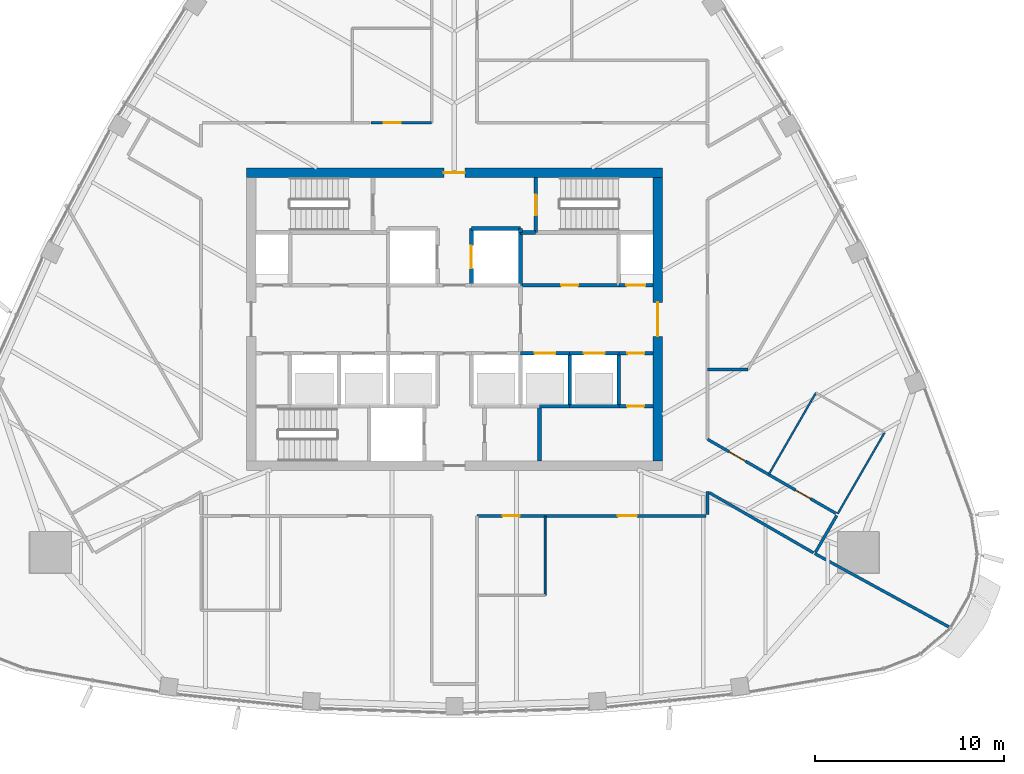
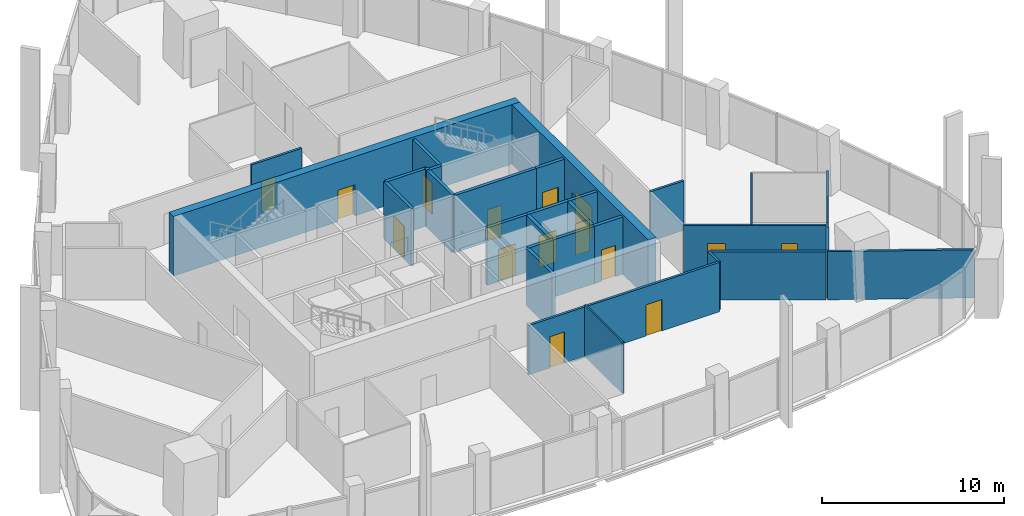
# One storey, part 10 of 18: 30 walls, 15 doors, 15 openings.
"""IFC4 building model written with IfcOpenShell, lengths in metres."""

import ifcopenshell
import ifcopenshell.guid

model = None  # the IFC model being written
_history = None  # IfcOwnerHistory: only IFC2X3 demands one
_inside = {}  # id of a spatial element -> (the spatial element, [elements in it])
_under = {}  # id of a project, library or spatial element -> (it, [spatial elements below it])
_declared = {}  # id of a project -> (the project, [libraries it declares])
_typed = {}  # id of a type object -> (the type object, [elements of that type])
_made_of = {}  # id of a material, layer set ... -> (it, [elements and type objects made of it])


def new_model(schema):
    """Start an empty IFC model of exactly this schema.

    Asked for "IFC4X3", IfcOpenShell would pick the latest addendum, in which some entities
    have other attributes; the version numbers below select the first issue.
    IFC2X3 requires an IfcOwnerHistory on every rooted entity: one is made here for all.
    """
    global model, _history
    if schema == "IFC4X3":
        model = ifcopenshell.file(schema_version=(4, 3, 0, 0))
    else:
        model = ifcopenshell.file(schema=schema)
    _inside.clear()
    _under.clear()
    _declared.clear()
    _typed.clear()
    _made_of.clear()
    _history = None
    if model.schema == "IFC2X3":
        org = make("IfcOrganization", Name="unknown")
        user = make(
            "IfcPersonAndOrganization",
            ThePerson=make("IfcPerson", FamilyName="unknown"),
            TheOrganization=org,
        )
        app = make(
            "IfcApplication",
            ApplicationDeveloper=org,
            Version="unknown",
            ApplicationFullName="unknown",
            ApplicationIdentifier="unknown",
        )
        _history = make(
            "IfcOwnerHistory",
            OwningUser=user,
            OwningApplication=app,
            ChangeAction="ADDED",
            CreationDate=0,
        )
    return model


def make(cls, **values):
    """One entity of the class cls with the attributes given. An attribute that is None is left unset."""
    return model.create_entity(
        cls, **{name: value for name, value in values.items() if value is not None}
    )


def rooted(cls, **values):
    """An entity with a GlobalId (a new one), such as an element, a storey or a relation."""
    return make(cls, GlobalId=ifcopenshell.guid.new(), OwnerHistory=_history, **values)


def si_unit(unit_type, name, prefix=None):
    """IfcSIUnit, for example si_unit("LENGTHUNIT", "METRE", prefix="MILLI")."""
    return make("IfcSIUnit", UnitType=unit_type, Prefix=prefix, Name=name)


def assignment(units):
    """IfcUnitAssignment: the units of a project."""
    return None if units is None else make("IfcUnitAssignment", Units=units)


def point(xyz):
    """IfcCartesianPoint."""
    return None if xyz is None else make("IfcCartesianPoint", Coordinates=xyz)


def direction(xyz):
    """IfcDirection."""
    return None if xyz is None else make("IfcDirection", DirectionRatios=xyz)


def frame(location, z_axis=None, x_axis=None):
    """IfcAxis2Placement3D, a coordinate frame: its origin and axes. An axis left out is left unset."""
    return make(
        "IfcAxis2Placement3D",
        Location=point(location),
        Axis=direction(z_axis),
        RefDirection=direction(x_axis),
    )


def frame_2d(location, x_axis=None):
    """IfcAxis2Placement2D, a coordinate frame in the plane: its origin and x axis."""
    return make(
        "IfcAxis2Placement2D", Location=point(location), RefDirection=direction(x_axis)
    )


def origin():
    """The frame at (0, 0, 0) with its axes left unset."""
    return frame((0.0, 0.0, 0.0))


def place(relative_to, where):
    """IfcLocalPlacement: puts the frame where relative to a parent placement (None: the world)."""
    return make(
        "IfcLocalPlacement", PlacementRelTo=relative_to, RelativePlacement=where
    )


def context(
    kind, dimensions, precision=None, world=None, true_north=None, identifier=None
):
    """IfcGeometricRepresentationContext, for example the 3D "Model" context."""
    return make(
        "IfcGeometricRepresentationContext",
        ContextIdentifier=identifier,
        ContextType=kind,
        CoordinateSpaceDimension=dimensions,
        Precision=precision,
        WorldCoordinateSystem=world,
        TrueNorth=true_north,
    )


def subcontext(parent, identifier, kind, view, scale=None):
    """IfcGeometricRepresentationSubContext, for example "Body" below "Model"."""
    return make(
        "IfcGeometricRepresentationSubContext",
        ContextIdentifier=identifier,
        ContextType=kind,
        ParentContext=parent,
        TargetScale=scale,
        TargetView=view,
    )


def project(units=None, contexts=None):
    """IfcProject with its units and contexts."""
    return rooted(
        "IfcProject",
        Name="project",
        RepresentationContexts=contexts,
        UnitsInContext=assignment(units),
    )


def spatial(cls, under=None, at=None, **own):
    """A site, building, storey or space (cls), placed at a placement, below another one or the project."""
    s = rooted(cls, ObjectPlacement=at, **own)
    if under is not None:
        _under.setdefault(under.id(), (under, []))[1].append(s)
    return s


def profile(cls, at=None, kind="AREA", **sizes):
    """A parametric profile (cls). Its sizes go by their IFC names, for example OverallWidth=200.0."""
    return make(cls, ProfileType=kind, Position=at, **sizes)


def rectangle(**sizes):
    """IfcRectangleProfileDef."""
    return profile("IfcRectangleProfileDef", **sizes)


def extrude(swept, where, along, depth):
    """IfcExtrudedAreaSolid: the profile swept, set in the frame where, extruded along a direction by depth."""
    return make(
        "IfcExtrudedAreaSolid",
        SweptArea=swept,
        Position=where,
        ExtrudedDirection=direction(along),
        Depth=depth,
    )


def shape(context_of_items, identifier, shape_type, items):
    """IfcShapeRepresentation: the items that make up one representation, for example the "Body"."""
    return make(
        "IfcShapeRepresentation",
        ContextOfItems=context_of_items,
        RepresentationIdentifier=identifier,
        RepresentationType=shape_type,
        Items=items,
    )


def material(Name=None, Category=None):
    """IfcMaterial."""
    return make("IfcMaterial", Name=Name, Category=Category)


def layer(
    of_material, thickness, ventilated=None, Name=None, Category=None, Priority=None
):
    """IfcMaterialLayer: one layer of a wall or slab, of a material (None: an air gap)."""
    return make(
        "IfcMaterialLayer",
        Material=of_material,
        LayerThickness=thickness,
        IsVentilated=ventilated,
        Name=Name,
        Category=Category,
        Priority=Priority,
    )


def layer_set(layers, Name=None):
    """IfcMaterialLayerSet."""
    return make("IfcMaterialLayerSet", MaterialLayers=layers, LayerSetName=Name)


def made_of(thing, what):
    """Note that an element or type object is made of a material, layer set ...; save() writes the relation."""
    if what is not None:
        _made_of.setdefault(what.id(), (what, []))[1].append(thing)
    return thing


def type_object(cls, material=None, **own):
    """A type object (cls), such as IfcWallType, which elements share."""
    return made_of(rooted(cls, **own), material)


def element(
    cls,
    number,
    at=None,
    inside=None,
    cuts=None,
    type_object=None,
    material=None,
    context=None,
    identifier="Body",
    shape_type=None,
    held_by="IfcProductDefinitionShape",
    body=None,
    shapes=None,
    **own,
):
    """One element of the class cls, such as IfcWall. Its Tag is "e" and its number.

    at: its placement. inside: the storey or other place that contains it. cuts: it is an
    opening in that element (IfcRelVoidsElement). A single representation is given by context,
    identifier, shape_type and body (its items); several are given by shapes. held_by: the class
    of the entity that holds the representations. save() writes the other relations.
    """
    e = rooted(cls, Tag="e%d" % number, ObjectPlacement=at, **own)
    if body is not None:
        shapes = [shape(context, identifier, shape_type, body)]
    if shapes is not None:
        e.Representation = make(held_by, Representations=shapes)
    if inside is not None:
        _inside.setdefault(inside.id(), (inside, []))[1].append(e)
    if cuts is not None:
        rooted(
            "IfcRelVoidsElement", RelatingBuildingElement=cuts, RelatedOpeningElement=e
        )
    if type_object is not None:
        _typed.setdefault(type_object.id(), (type_object, []))[1].append(e)
    return made_of(e, material)


def fill(opening, filler):
    """IfcRelFillsElement: the door or window that sits in an opening."""
    return rooted(
        "IfcRelFillsElement",
        RelatingOpeningElement=opening,
        RelatedBuildingElement=filler,
    )


def aggregate(whole, parts):
    """IfcRelAggregates: a whole, such as a stair, and the parts it consists of."""
    return rooted("IfcRelAggregates", RelatingObject=whole, RelatedObjects=parts)


def save(model, path):
    """Write the relations noted so far, then the file.

    IfcRelAggregates (storeys below a building ...), IfcRelContainedInSpatialStructure (elements
    in a storey), IfcRelDefinesByType, IfcRelAssociatesMaterial and IfcRelDeclares: one each for
    every whole, place, type object, material and project.
    """
    for whole, parts in _under.values():
        aggregate(whole, parts)
    for where, things in _inside.values():
        rooted(
            "IfcRelContainedInSpatialStructure",
            RelatedElements=things,
            RelatingStructure=where,
        )
    for kind, things in _typed.values():
        rooted("IfcRelDefinesByType", RelatedObjects=things, RelatingType=kind)
    for what, things in _made_of.values():
        rooted("IfcRelAssociatesMaterial", RelatedObjects=things, RelatingMaterial=what)
    for by, libraries in _declared.values():
        rooted("IfcRelDeclares", RelatingContext=by, RelatedDefinitions=libraries)
    model.write(path)


model = new_model("IFC4")

# Units and contexts
model_context = context("Model", 3, precision=1e-05, world=origin(), true_north=direction((0.0, 1.0)))
body_context = subcontext(model_context, "Body", "Model", "MODEL_VIEW")
ifc_project = project(units=[si_unit("LENGTHUNIT", "METRE"), si_unit("AREAUNIT", "SQUARE_METRE"), si_unit("VOLUMEUNIT", "CUBIC_METRE"), si_unit("PLANEANGLEUNIT", "RADIAN"), si_unit("MASSUNIT", "GRAM", prefix="KILO")], contexts=[model_context])

# Site, building, storey
site_placement = place(None, origin())
site = spatial("IfcSite", under=ifc_project, at=site_placement, CompositionType="ELEMENT")
building_placement = place(site_placement, origin())
building = spatial("IfcBuilding", under=site, at=building_placement, Name="Sierra Prisma Convention Tower", CompositionType="ELEMENT")
storey_placement = place(building_placement, frame((0.0, 0.0, 263.0)))
storey = spatial("IfcBuildingStorey", under=building, at=storey_placement, Name="L59", CompositionType="ELEMENT", Elevation=263.0)

# Walls
ifc_material_1 = material(Name="Gypsum board partition", Category="gypsum")
ifc_layer_1 = layer(ifc_material_1, 0.10009765625)
ifc_layer_set_1 = layer_set([ifc_layer_1], Name="Bathroom partition 100")
wall_type_1 = type_object("IfcWallType", Name="Bathroom partition 100", PredefinedType="PARTITIONING", material=ifc_layer_set_1)
wall_1_placement = place(storey_placement, frame((4.800048828125, -10.429931640625, 0.0), z_axis=(0.0, 0.0, 1.0), x_axis=(0.0, -1.0, 0.0)))
element("IfcWall", 1, at=wall_1_placement, inside=storey, type_object=wall_type_1, Name="Partition L59 bath 6", PredefinedType="PARTITIONING", context=body_context, shape_type="SweptSolid", body=[
    extrude(rectangle(XDim=4.170166015625, YDim=0.10009765625, at=frame_2d((2.0849609375, 0.0))), origin(), (0.0, 0.0, 1.0), 3.449951171875),
])
wall_2_placement = place(storey_placement, frame((16.64599609375, -8.1904296875, 0.0), z_axis=(0.0, 0.0, 1.0), x_axis=(0.500011595943, 0.86601870876, 0.0)))
element("IfcWall", 2, at=wall_2_placement, inside=storey, type_object=wall_type_1, Name="Partition L59 bath 10", PredefinedType="PARTITIONING", context=body_context, shape_type="SweptSolid", body=[
    extrude(rectangle(XDim=4.97021484375, YDim=0.10009765625, at=frame_2d((2.485107421875, 0.0))), origin(), (0.0, 0.0, 1.0), 3.31689453125),
])
wall_3_placement = place(storey_placement, frame((22.768310546875, -5.986083984375, 0.0), z_axis=(0.0, 0.0, 1.0), x_axis=(-0.499974753747, -0.866039979225, 0.0)))
element("IfcWall", 3, at=wall_3_placement, inside=storey, type_object=wall_type_1, Name="Partition L59 bath 12", PredefinedType="PARTITIONING", context=body_context, shape_type="SweptSolid", body=[
    extrude(rectangle(XDim=4.969970703125, YDim=0.10009765625, at=frame_2d((2.48486328125, 0.0))), origin(), (0.0, 0.0, 1.0), 3.449951171875),
])
ifc_material_2 = material(Name="Concrete C30/37", Category="concrete")
ifc_layer_2 = layer(ifc_material_2, 0.199951171875)
ifc_layer_set_2 = layer_set([ifc_layer_2], Name="Core wall RC 200 C30/37")
wall_type_2 = type_object("IfcWallType", Name="Core wall RC 200 C30/37", PredefinedType="SOLIDWALL", material=ifc_layer_set_2)
wall_4_placement = place(storey_placement, frame((3.5, 4.60009765625, 0.0), z_axis=(0.0, 0.0, 1.0), x_axis=(0.0, 1.0, 0.0)))
element("IfcWall", 4, at=wall_4_placement, inside=storey, type_object=wall_type_2, Name="Core wall L59 36", PredefinedType="SOLIDWALL", context=body_context, shape_type="SweptSolid", body=[
    extrude(rectangle(XDim=0.199951171875, YDim=0.199951171875, at=frame_2d((0.10009765625, 0.0))), origin(), (0.0, 0.0, 1.0), 3.85009765625),
])
wall_5_placement = place(storey_placement, frame((3.5, 4.800048828125, 0.0), z_axis=(0.0, 0.0, 1.0), x_axis=(-1.0, 0.0, 0.0)))
element("IfcWall", 5, at=wall_5_placement, inside=storey, type_object=wall_type_2, Name="Core wall L59 37", PredefinedType="SOLIDWALL", context=body_context, shape_type="SweptSolid", body=[
    extrude(rectangle(XDim=2.60009765625, YDim=0.199951171875, at=frame_2d((1.300048828125, 0.0))), origin(), (0.0, 0.0, 1.0), 3.85009765625),
])

# Wall, opening, door
wall_6_placement = place(storey_placement, frame((0.89990234375, 4.800048828125, 0.0), z_axis=(0.0, 0.0, 1.0), x_axis=(0.0, -1.0, 0.0)))
wall_6 = element("IfcWall", 6, at=wall_6_placement, inside=storey, type_object=wall_type_2, Name="Core wall L59 38", PredefinedType="SOLIDWALL", context=body_context, shape_type="SweptSolid", body=[
    extrude(rectangle(XDim=3.0, YDim=0.199951171875, at=frame_2d((1.5, 0.0))), origin(), (0.0, 0.0, 1.0), 3.85009765625),
])
opening_1_placement = place(wall_6_placement, frame((0.89990234375, 0.0, 0.0)))
opening_1 = element("IfcOpeningElement", 7, at=opening_1_placement, cuts=wall_6, Name="Opening L59-D008", PredefinedType="OPENING", context=body_context, shape_type="SweptSolid", body=[
    extrude(rectangle(XDim=1.199951171875, YDim=2.10009765625, at=frame_2d((0.60009765625, 1.050048828125))), frame((0.0, 0.10009765625, 0.0), z_axis=(0.0, -1.0, 0.0), x_axis=(1.0, 0.0, 0.0)), (0.0, 0.0, 1.0), 0.199951171875),
])
ifc_material_3 = material(Name="Steel fire door leaf", Category="steel")
door_type_1 = type_object("IfcDoorType", Name="Door 1200x2100 EI 90 sliding lift landing", OperationType="SLIDING_TO_LEFT", PredefinedType="DOOR", material=ifc_material_3)
door_1_placement = place(opening_1_placement, origin())
door_1 = element("IfcDoor", 8, at=door_1_placement, inside=storey, type_object=door_type_1, Name="Door L59 22", OperationType="SLIDING_TO_LEFT", OverallHeight=2.10009765625, OverallWidth=1.199951171875, PredefinedType="DOOR", context=body_context, shape_type="SweptSolid", body=[
    extrude(rectangle(XDim=1.199951171875, YDim=2.10009765625, at=frame_2d((0.60009765625, 1.050048828125))), frame((0.0, 0.02490234375, 0.0), z_axis=(0.0, -1.0, 0.0), x_axis=(1.0, 0.0, 0.0)), (0.0, 0.0, 1.0), 0.050048828125),
])
fill(opening_1, door_1)

wall_7_placement = place(storey_placement, frame((3.5, -1.800048828125, 0.0), z_axis=(0.0, 0.0, 1.0), x_axis=(1.0, 0.0, 0.0)))
wall_7 = element("IfcWall", 9, at=wall_7_placement, inside=storey, type_object=wall_type_2, Name="Core wall L59 43", PredefinedType="SOLIDWALL", context=body_context, shape_type="SweptSolid", body=[
    extrude(rectangle(XDim=2.60009765625, YDim=0.199951171875, at=frame_2d((1.300048828125, 0.0))), origin(), (0.0, 0.0, 1.0), 3.85009765625),
])
opening_2_placement = place(wall_7_placement, frame((0.75, 0.0, 0.0)))
opening_2 = element("IfcOpeningElement", 10, at=opening_2_placement, cuts=wall_7, Name="Opening L59-D005", PredefinedType="OPENING", context=body_context, shape_type="SweptSolid", body=[
    extrude(rectangle(XDim=1.10009765625, YDim=2.10009765625, at=frame_2d((0.550048828125, 1.050048828125))), frame((0.0, 0.10009765625, 0.0), z_axis=(0.0, -1.0, 0.0), x_axis=(1.0, 0.0, 0.0)), (0.0, 0.0, 1.0), 0.199951171875),
])
ifc_material_4 = material(Name="Steel fire door leaf", Category="steel")
door_type_2 = type_object("IfcDoorType", Name="Door 1100x2100 EI 90 sliding lift landing", OperationType="SLIDING_TO_LEFT", PredefinedType="DOOR", material=ifc_material_4)
door_2_placement = place(opening_2_placement, origin())
door_2 = element("IfcDoor", 11, at=door_2_placement, inside=storey, type_object=door_type_2, Name="Door L59 19", OperationType="SLIDING_TO_RIGHT", OverallHeight=2.10009765625, OverallWidth=1.10009765625, PredefinedType="DOOR", context=body_context, shape_type="SweptSolid", body=[
    extrude(rectangle(XDim=1.10009765625, YDim=2.10009765625, at=frame_2d((0.550048828125, 1.050048828125))), frame((0.0, 0.02490234375, 0.0), z_axis=(0.0, -1.0, 0.0), x_axis=(1.0, 0.0, 0.0)), (0.0, 0.0, 1.0), 0.050048828125),
])
fill(opening_2, door_2)

wall_8_placement = place(storey_placement, frame((3.5, 1.800048828125, 0.0), z_axis=(0.0, 0.0, 1.0), x_axis=(1.0, 0.0, 0.0)))
wall_8 = element("IfcWall", 12, at=wall_8_placement, inside=storey, type_object=wall_type_2, Name="Core wall L59 45", PredefinedType="SOLIDWALL", context=body_context, shape_type="SweptSolid", body=[
    extrude(rectangle(XDim=5.199951171875, YDim=0.199951171875, at=frame_2d((2.60009765625, 0.0))), origin(), (0.0, 0.0, 1.0), 3.85009765625),
])
opening_3_placement = place(wall_8_placement, frame((2.14990234375, 0.0, 0.0)))
opening_3 = element("IfcOpeningElement", 13, at=opening_3_placement, cuts=wall_8, Name="Opening L59-D020", PredefinedType="OPENING", context=body_context, shape_type="SweptSolid", body=[
    extrude(rectangle(XDim=0.89990234375, YDim=2.10009765625, at=frame_2d((0.449951171875, 1.050048828125))), frame((0.0, 0.10009765625, 0.0), z_axis=(0.0, -1.0, 0.0), x_axis=(1.0, 0.0, 0.0)), (0.0, 0.0, 1.0), 0.199951171875),
])
ifc_material_5 = material(Name="Steel fire door leaf", Category="steel")
door_type_3 = type_object("IfcDoorType", Name="Door 900x2100 FD30S", OperationType="SINGLE_SWING_LEFT", PredefinedType="DOOR", material=ifc_material_5)
door_3_placement = place(opening_3_placement, origin())
door_3 = element("IfcDoor", 14, at=door_3_placement, inside=storey, type_object=door_type_3, Name="Door L59 34", OperationType="SINGLE_SWING_LEFT", OverallHeight=2.10009765625, OverallWidth=0.89990234375, PredefinedType="DOOR", context=body_context, shape_type="SweptSolid", body=[
    extrude(rectangle(XDim=0.89990234375, YDim=2.10009765625, at=frame_2d((0.449951171875, 1.050048828125))), frame((0.0, 0.02490234375, 0.0), z_axis=(0.0, -1.0, 0.0), x_axis=(1.0, 0.0, 0.0)), (0.0, 0.0, 1.0), 0.050048828125),
])
fill(opening_3, door_3)

# Walls
wall_9_placement = place(storey_placement, frame((3.5, 4.60009765625, 0.0), z_axis=(0.0, 0.0, 1.0), x_axis=(0.0, -1.0, 0.0)))
element("IfcWall", 15, at=wall_9_placement, inside=storey, type_object=wall_type_2, Name="Core wall L59 46", PredefinedType="SOLIDWALL", context=body_context, shape_type="SweptSolid", body=[
    extrude(rectangle(XDim=2.800048828125, YDim=0.199951171875, at=frame_2d((1.39990234375, 0.0))), origin(), (0.0, 0.0, 1.0), 3.85009765625),
])
wall_10_placement = place(storey_placement, frame((4.300048828125, 4.60009765625, 0.0), z_axis=(0.0, 0.0, 1.0), x_axis=(-1.0, 0.0, 0.0)))
element("IfcWall", 16, at=wall_10_placement, inside=storey, type_object=wall_type_2, Name="Core wall L59 47", PredefinedType="SOLIDWALL", context=body_context, shape_type="SweptSolid", body=[
    extrude(rectangle(XDim=0.800048828125, YDim=0.199951171875, at=frame_2d((0.39990234375, 0.0))), origin(), (0.0, 0.0, 1.0), 3.85009765625),
])

# Wall, opening, door
wall_11_placement = place(storey_placement, frame((4.300048828125, 7.5, 0.0), z_axis=(0.0, 0.0, 1.0), x_axis=(0.0, -1.0, 0.0)))
wall_11 = element("IfcWall", 17, at=wall_11_placement, inside=storey, type_object=wall_type_2, Name="Core wall L59 49", PredefinedType="SOLIDWALL", context=body_context, shape_type="SweptSolid", body=[
    extrude(rectangle(XDim=2.89990234375, YDim=0.199951171875, at=frame_2d((1.449951171875, 0.0))), origin(), (0.0, 0.0, 1.0), 3.85009765625),
])
opening_4_placement = place(wall_11_placement, frame((0.89990234375, 0.0, 0.0)))
opening_4 = element("IfcOpeningElement", 18, at=opening_4_placement, cuts=wall_11, Name="Opening L59-D019", PredefinedType="OPENING", context=body_context, shape_type="SweptSolid", body=[
    extrude(rectangle(XDim=1.10009765625, YDim=2.10009765625, at=frame_2d((0.550048828125, 1.050048828125))), frame((0.0, 0.10009765625, 0.0), z_axis=(0.0, -1.0, 0.0), x_axis=(1.0, 0.0, 0.0)), (0.0, 0.0, 1.0), 0.199951171875),
])
ifc_material_6 = material(Name="Steel fire door leaf", Category="steel")
door_type_4 = type_object("IfcDoorType", Name="Door 1100x2100 FD90S", OperationType="SINGLE_SWING_LEFT", PredefinedType="DOOR", material=ifc_material_6)
door_4_placement = place(opening_4_placement, origin())
door_4 = element("IfcDoor", 19, at=door_4_placement, inside=storey, type_object=door_type_4, Name="Door L59 33", OperationType="SINGLE_SWING_LEFT", OverallHeight=2.10009765625, OverallWidth=1.10009765625, PredefinedType="DOOR", context=body_context, shape_type="SweptSolid", body=[
    extrude(rectangle(XDim=1.10009765625, YDim=2.10009765625, at=frame_2d((0.550048828125, 1.050048828125))), frame((0.0, 0.02490234375, 0.0), z_axis=(0.0, -1.0, 0.0), x_axis=(1.0, 0.0, 0.0)), (0.0, 0.0, 1.0), 0.050048828125),
])
fill(opening_4, door_4)

# Walls
wall_12_placement = place(storey_placement, frame((4.5, -4.60009765625, 0.0), z_axis=(0.0, 0.0, 1.0), x_axis=(0.0, -1.0, 0.0)))
element("IfcWall", 20, at=wall_12_placement, inside=storey, type_object=wall_type_2, Name="Core wall L59 50", PredefinedType="SOLIDWALL", context=body_context, shape_type="SweptSolid", body=[
    extrude(rectangle(XDim=2.89990234375, YDim=0.199951171875, at=frame_2d((1.449951171875, 0.0))), origin(), (0.0, 0.0, 1.0), 3.85009765625),
])
wall_13_placement = place(storey_placement, frame((6.10009765625, -4.60009765625, 0.0), z_axis=(0.0, 0.0, 1.0), x_axis=(-1.0, 0.0, 0.0)))
element("IfcWall", 21, at=wall_13_placement, inside=storey, type_object=wall_type_2, Name="Core wall L59 51", PredefinedType="SOLIDWALL", context=body_context, shape_type="SweptSolid", body=[
    extrude(rectangle(XDim=1.60009765625, YDim=0.199951171875, at=frame_2d((0.800048828125, 0.0))), origin(), (0.0, 0.0, 1.0), 3.85009765625),
])
wall_14_placement = place(storey_placement, frame((8.699951171875, -4.60009765625, 0.0), z_axis=(0.0, 0.0, 1.0), x_axis=(-1.0, 0.0, 0.0)))
element("IfcWall", 22, at=wall_14_placement, inside=storey, type_object=wall_type_2, Name="Core wall L59 52", PredefinedType="SOLIDWALL", context=body_context, shape_type="SweptSolid", body=[
    extrude(rectangle(XDim=2.599853515625, YDim=0.199951171875, at=frame_2d((1.2998046875, 0.0))), origin(), (0.0, 0.0, 1.0), 3.85009765625),
])
wall_15_placement = place(storey_placement, frame((6.10009765625, -4.60009765625, 0.0), z_axis=(0.0, 0.0, 1.0), x_axis=(0.0, 1.0, 0.0)))
element("IfcWall", 23, at=wall_15_placement, inside=storey, type_object=wall_type_2, Name="Core wall L59 53", PredefinedType="SOLIDWALL", context=body_context, shape_type="SweptSolid", body=[
    extrude(rectangle(XDim=2.800048828125, YDim=0.199951171875, at=frame_2d((1.39990234375, 0.0))), origin(), (0.0, 0.0, 1.0), 3.85009765625),
])

# Wall, opening, door
wall_16_placement = place(storey_placement, frame((6.10009765625, -1.800048828125, 0.0), z_axis=(0.0, 0.0, 1.0), x_axis=(1.0, 0.0, 0.0)))
wall_16 = element("IfcWall", 24, at=wall_16_placement, inside=storey, type_object=wall_type_2, Name="Core wall L59 54", PredefinedType="SOLIDWALL", context=body_context, shape_type="SweptSolid", body=[
    extrude(rectangle(XDim=2.599853515625, YDim=0.199951171875, at=frame_2d((1.2998046875, 0.0))), origin(), (0.0, 0.0, 1.0), 3.85009765625),
])
opening_5_placement = place(wall_16_placement, frame((0.75, 0.0, 0.0)))
opening_5 = element("IfcOpeningElement", 25, at=opening_5_placement, cuts=wall_16, Name="Opening L59-D006", PredefinedType="OPENING", context=body_context, shape_type="SweptSolid", body=[
    extrude(rectangle(XDim=1.10009765625, YDim=2.10009765625, at=frame_2d((0.550048828125, 1.050048828125))), frame((0.0, 0.10009765625, 0.0), z_axis=(0.0, -1.0, 0.0), x_axis=(1.0, 0.0, 0.0)), (0.0, 0.0, 1.0), 0.199951171875),
])
door_5_placement = place(opening_5_placement, origin())
door_5 = element("IfcDoor", 26, at=door_5_placement, inside=storey, type_object=door_type_2, Name="Door L59 20", OperationType="SLIDING_TO_RIGHT", OverallHeight=2.10009765625, OverallWidth=1.10009765625, PredefinedType="DOOR", context=body_context, shape_type="SweptSolid", body=[
    extrude(rectangle(XDim=1.10009765625, YDim=2.10009765625, at=frame_2d((0.550048828125, 1.050048828125))), frame((0.0, 0.02490234375, 0.0), z_axis=(0.0, -1.0, 0.0), x_axis=(1.0, 0.0, 0.0)), (0.0, 0.0, 1.0), 0.050048828125),
])
fill(opening_5, door_5)

wall_17_placement = place(storey_placement, frame((10.5, -4.60009765625, 0.0), z_axis=(0.0, 0.0, 1.0), x_axis=(-1.0, 0.0, 0.0)))
wall_17 = element("IfcWall", 27, at=wall_17_placement, inside=storey, type_object=wall_type_2, Name="Core wall L59 55", PredefinedType="SOLIDWALL", context=body_context, shape_type="SweptSolid", body=[
    extrude(rectangle(XDim=1.800048828125, YDim=0.199951171875, at=frame_2d((0.89990234375, 0.0))), origin(), (0.0, 0.0, 1.0), 3.85009765625),
])
opening_6_placement = place(wall_17_placement, frame((0.4599609375, 0.0, 0.0)))
opening_6 = element("IfcOpeningElement", 28, at=opening_6_placement, cuts=wall_17, Name="Opening L59-D022", PredefinedType="OPENING", context=body_context, shape_type="SweptSolid", body=[
    extrude(rectangle(XDim=0.89990234375, YDim=2.10009765625, at=frame_2d((0.449951171875, 1.050048828125))), frame((0.0, 0.10009765625, 0.0), z_axis=(0.0, -1.0, 0.0), x_axis=(1.0, 0.0, 0.0)), (0.0, 0.0, 1.0), 0.199951171875),
])
door_6_placement = place(opening_6_placement, origin())
door_6 = element("IfcDoor", 29, at=door_6_placement, inside=storey, type_object=door_type_3, Name="Door L59 36", OperationType="SINGLE_SWING_RIGHT", OverallHeight=2.10009765625, OverallWidth=0.89990234375, PredefinedType="DOOR", context=body_context, shape_type="SweptSolid", body=[
    extrude(rectangle(XDim=0.89990234375, YDim=2.10009765625, at=frame_2d((0.449951171875, 1.050048828125))), frame((0.0, 0.02490234375, 0.0), z_axis=(0.0, -1.0, 0.0), x_axis=(1.0, 0.0, 0.0)), (0.0, 0.0, 1.0), 0.050048828125),
])
fill(opening_6, door_6)

# Wall
wall_18_placement = place(storey_placement, frame((8.699951171875, -1.800048828125, 0.0), z_axis=(0.0, 0.0, 1.0), x_axis=(0.0, -1.0, 0.0)))
element("IfcWall", 30, at=wall_18_placement, inside=storey, type_object=wall_type_2, Name="Core wall L59 56", PredefinedType="SOLIDWALL", context=body_context, shape_type="SweptSolid", body=[
    extrude(rectangle(XDim=2.800048828125, YDim=0.199951171875, at=frame_2d((1.39990234375, 0.0))), origin(), (0.0, 0.0, 1.0), 3.85009765625),
])

# Wall, opening, door
wall_19_placement = place(storey_placement, frame((8.699951171875, -1.800048828125, 0.0), z_axis=(0.0, 0.0, 1.0), x_axis=(1.0, 0.0, 0.0)))
wall_19 = element("IfcWall", 31, at=wall_19_placement, inside=storey, type_object=wall_type_2, Name="Core wall L59 57", PredefinedType="SOLIDWALL", context=body_context, shape_type="SweptSolid", body=[
    extrude(rectangle(XDim=1.800048828125, YDim=0.199951171875, at=frame_2d((0.89990234375, 0.0))), origin(), (0.0, 0.0, 1.0), 3.85009765625),
])
opening_7_placement = place(wall_19_placement, frame((0.449951171875, 0.0, 0.0)))
opening_7 = element("IfcOpeningElement", 32, at=opening_7_placement, cuts=wall_19, Name="Opening L59-D023", PredefinedType="OPENING", context=body_context, shape_type="SweptSolid", body=[
    extrude(rectangle(XDim=0.89990234375, YDim=2.10009765625, at=frame_2d((0.449951171875, 1.050048828125))), frame((0.0, 0.10009765625, 0.0), z_axis=(0.0, -1.0, 0.0), x_axis=(1.0, 0.0, 0.0)), (0.0, 0.0, 1.0), 0.199951171875),
])
door_7_placement = place(opening_7_placement, origin())
door_7 = element("IfcDoor", 33, at=door_7_placement, inside=storey, type_object=door_type_3, Name="Door L59 37", OperationType="SINGLE_SWING_RIGHT", OverallHeight=2.10009765625, OverallWidth=0.89990234375, PredefinedType="DOOR", context=body_context, shape_type="SweptSolid", body=[
    extrude(rectangle(XDim=0.89990234375, YDim=2.10009765625, at=frame_2d((0.449951171875, 1.050048828125))), frame((0.0, 0.02490234375, 0.0), z_axis=(0.0, -1.0, 0.0), x_axis=(1.0, 0.0, 0.0)), (0.0, 0.0, 1.0), 0.050048828125),
])
fill(opening_7, door_7)

wall_20_placement = place(storey_placement, frame((10.5, 1.800048828125, 0.0), z_axis=(0.0, 0.0, 1.0), x_axis=(-1.0, 0.0, 0.0)))
wall_20 = element("IfcWall", 34, at=wall_20_placement, inside=storey, type_object=wall_type_2, Name="Core wall L59 58", PredefinedType="SOLIDWALL", context=body_context, shape_type="SweptSolid", body=[
    extrude(rectangle(XDim=1.800048828125, YDim=0.199951171875, at=frame_2d((0.89990234375, 0.0))), origin(), (0.0, 0.0, 1.0), 3.85009765625),
])
opening_8_placement = place(wall_20_placement, frame((0.39990234375, 0.0, 0.0)))
opening_8 = element("IfcOpeningElement", 35, at=opening_8_placement, cuts=wall_20, Name="Opening L59-D016", PredefinedType="OPENING", context=body_context, shape_type="SweptSolid", body=[
    extrude(rectangle(XDim=1.0, YDim=2.10009765625, at=frame_2d((0.5, 1.050048828125))), frame((0.0, 0.10009765625, 0.0), z_axis=(0.0, -1.0, 0.0), x_axis=(1.0, 0.0, 0.0)), (0.0, 0.0, 1.0), 0.199951171875),
])
ifc_material_7 = material(Name="Steel fire door leaf", Category="steel")
door_type_5 = type_object("IfcDoorType", Name="Door 1000x2100 FD60S", OperationType="SINGLE_SWING_LEFT", PredefinedType="DOOR", material=ifc_material_7)
door_8_placement = place(opening_8_placement, origin())
door_8 = element("IfcDoor", 36, at=door_8_placement, inside=storey, type_object=door_type_5, Name="Door L59 30", OperationType="SINGLE_SWING_RIGHT", OverallHeight=2.10009765625, OverallWidth=1.0, PredefinedType="DOOR", context=body_context, shape_type="SweptSolid", body=[
    extrude(rectangle(XDim=1.0, YDim=2.10009765625, at=frame_2d((0.5, 1.050048828125))), frame((0.0, 0.02490234375, 0.0), z_axis=(0.0, -1.0, 0.0), x_axis=(1.0, 0.0, 0.0)), (0.0, 0.0, 1.0), 0.050048828125),
])
fill(opening_8, door_8)

ifc_material_8 = material(Name="Concrete C50/60", Category="concrete")
ifc_layer_3 = layer(ifc_material_8, 0.5)
ifc_layer_set_3 = layer_set([ifc_layer_3], Name="Core wall RC 500 C50/60")
wall_type_3 = type_object("IfcWallType", Name="Core wall RC 500 C50/60", PredefinedType="SHEAR", material=ifc_layer_set_3)
wall_21_placement = place(storey_placement, frame((-11.0, 7.75, 0.0), z_axis=(0.0, 0.0, 1.0), x_axis=(1.0, 0.0, 0.0)))
wall_21 = element("IfcWall", 37, at=wall_21_placement, inside=storey, type_object=wall_type_3, Name="Core wall N L59", PredefinedType="SHEAR", context=body_context, shape_type="SweptSolid", body=[
    extrude(rectangle(XDim=22.0, YDim=0.5, at=frame_2d((11.0, 0.0))), origin(), (0.0, 0.0, 1.0), 4.0),
])
opening_9_placement = place(wall_21_placement, frame((10.449951171875, 0.0, 0.0)))
opening_9 = element("IfcOpeningElement", 38, at=opening_9_placement, cuts=wall_21, Name="Opening L59-D040", PredefinedType="OPENING", context=body_context, shape_type="SweptSolid", body=[
    extrude(rectangle(XDim=1.10009765625, YDim=2.10009765625, at=frame_2d((0.550048828125, 1.050048828125))), frame((0.0, 0.25, 0.0), z_axis=(0.0, -1.0, 0.0), x_axis=(1.0, 0.0, 0.0)), (0.0, 0.0, 1.0), 0.5),
])
ifc_material_9 = material(Name="Steel fire door leaf", Category="steel")
door_type_6 = type_object("IfcDoorType", Name="Door 1100x2100 FD60S", OperationType="SINGLE_SWING_LEFT", PredefinedType="DOOR", material=ifc_material_9)
door_9_placement = place(opening_9_placement, origin())
door_9 = element("IfcDoor", 39, at=door_9_placement, inside=storey, type_object=door_type_6, Name="Door L59 41", OperationType="SINGLE_SWING_LEFT", OverallHeight=2.10009765625, OverallWidth=1.10009765625, PredefinedType="DOOR", context=body_context, shape_type="SweptSolid", body=[
    extrude(rectangle(XDim=1.10009765625, YDim=2.10009765625, at=frame_2d((0.550048828125, 1.050048828125))), frame((0.0, 0.02490234375, 0.0), z_axis=(0.0, -1.0, 0.0), x_axis=(1.0, 0.0, 0.0)), (0.0, 0.0, 1.0), 0.050048828125),
])
fill(opening_9, door_9)

wall_22_placement = place(storey_placement, frame((10.75, -7.5, 0.0), z_axis=(0.0, 0.0, 1.0), x_axis=(0.0, 1.0, 0.0)))
wall_22 = element("IfcWall", 40, at=wall_22_placement, inside=storey, type_object=wall_type_3, Name="Core wall E L59", PredefinedType="SHEAR", context=body_context, shape_type="SweptSolid", body=[
    extrude(rectangle(XDim=15.0, YDim=0.5, at=frame_2d((7.5, 0.0))), origin(), (0.0, 0.0, 1.0), 4.0),
])
opening_10_placement = place(wall_22_placement, frame((6.60009765625, 0.0, 0.0)))
opening_10 = element("IfcOpeningElement", 41, at=opening_10_placement, cuts=wall_22, Name="Opening L59-D039", PredefinedType="OPENING", context=body_context, shape_type="SweptSolid", body=[
    extrude(rectangle(XDim=1.800048828125, YDim=2.10009765625, at=frame_2d((0.89990234375, 1.050048828125))), frame((0.0, 0.25, 0.0), z_axis=(0.0, -1.0, 0.0), x_axis=(1.0, 0.0, 0.0)), (0.0, 0.0, 1.0), 0.5),
])
ifc_material_10 = material(Name="Steel fire door leaf", Category="steel")
door_type_7 = type_object("IfcDoorType", Name="Door 1800x2100 FD60S", OperationType="DOUBLE_DOOR_SINGLE_SWING", PredefinedType="DOOR", material=ifc_material_10)
door_10_placement = place(opening_10_placement, origin())
door_10 = element("IfcDoor", 42, at=door_10_placement, inside=storey, type_object=door_type_7, Name="Door L59 40", OperationType="DOUBLE_DOOR_SINGLE_SWING", OverallHeight=2.10009765625, OverallWidth=1.800048828125, PredefinedType="DOOR", context=body_context, shape_type="SweptSolid", body=[
    extrude(rectangle(XDim=1.800048828125, YDim=2.10009765625, at=frame_2d((0.89990234375, 1.050048828125))), frame((0.0, 0.02490234375, 0.0), z_axis=(0.0, -1.0, 0.0), x_axis=(1.0, 0.0, 0.0)), (0.0, 0.0, 1.0), 0.050048828125),
])
fill(opening_10, door_10)

ifc_material_11 = material(Name="Gypsum board partition", Category="gypsum")
ifc_layer_4 = layer(ifc_material_11, 0.14990234375)
ifc_layer_set_4 = layer_set([ifc_layer_4], Name="Corridor wall 150 gypsum EI 60")
wall_type_4 = type_object("IfcWallType", Name="Corridor wall 150 gypsum EI 60", PredefinedType="PARTITIONING", material=ifc_layer_set_4)
wall_23_placement = place(storey_placement, frame((-1.199951171875, 10.39990234375, 0.0), z_axis=(0.0, 0.0, 1.0), x_axis=(-1.0, 0.0, 0.0)))
wall_23 = element("IfcWall", 43, at=wall_23_placement, inside=storey, type_object=wall_type_4, Name="Partition L59 corr 14", PredefinedType="PARTITIONING", context=body_context, shape_type="SweptSolid", body=[
    extrude(rectangle(XDim=3.199951171875, YDim=0.14990234375, at=frame_2d((1.60009765625, 0.0))), origin(), (0.0, 0.0, 1.0), 3.449951171875),
])
opening_11_placement = place(wall_23_placement, frame((1.64990234375, 0.0, 0.0)))
opening_11 = element("IfcOpeningElement", 44, at=opening_11_placement, cuts=wall_23, Name="Opening L59-D029", PredefinedType="OPENING", context=body_context, shape_type="SweptSolid", body=[
    extrude(rectangle(XDim=0.89990234375, YDim=2.10009765625, at=frame_2d((0.449951171875, 1.050048828125))), frame((0.0, 0.074951171875, 0.0), z_axis=(0.0, -1.0, 0.0), x_axis=(1.0, 0.0, 0.0)), (0.0, 0.0, 1.0), 0.14990234375),
])
door_11_placement = place(opening_11_placement, origin())
door_11 = element("IfcDoor", 45, at=door_11_placement, inside=storey, type_object=door_type_3, Name="Door L59 5", OperationType="SINGLE_SWING_RIGHT", OverallHeight=2.10009765625, OverallWidth=0.89990234375, PredefinedType="DOOR", context=body_context, shape_type="SweptSolid", body=[
    extrude(rectangle(XDim=0.89990234375, YDim=2.10009765625, at=frame_2d((0.449951171875, 1.050048828125))), frame((0.0, 0.02490234375, 0.0), z_axis=(0.0, -1.0, 0.0), x_axis=(1.0, 0.0, 0.0)), (0.0, 0.0, 1.0), 0.050048828125),
])
fill(opening_11, door_11)

# Wall, openings, doors
wall_24_placement = place(storey_placement, frame((1.199951171875, -10.39990234375, 0.0), z_axis=(0.0, 0.0, 1.0), x_axis=(1.0, 0.0, 0.0)))
wall_24 = element("IfcWall", 46, at=wall_24_placement, inside=storey, type_object=wall_type_4, Name="Partition L59 corr 18", PredefinedType="PARTITIONING", context=body_context, shape_type="SweptSolid", body=[
    extrude(rectangle(XDim=12.1201171875, YDim=0.14990234375, at=frame_2d((6.06005859375, 0.0))), origin(), (0.0, 0.0, 1.0), 3.31689453125),
])
opening_12_placement = place(wall_24_placement, frame((1.35009765625, 0.0, 0.0)))
opening_12 = element("IfcOpeningElement", 47, at=opening_12_placement, cuts=wall_24, Name="Opening L59-D035", PredefinedType="OPENING", context=body_context, shape_type="SweptSolid", body=[
    extrude(rectangle(XDim=0.89990234375, YDim=2.10009765625, at=frame_2d((0.449951171875, 1.050048828125))), frame((0.0, 0.074951171875, 0.0), z_axis=(0.0, -1.0, 0.0), x_axis=(1.0, 0.0, 0.0)), (0.0, 0.0, 1.0), 0.14990234375),
])
opening_13_placement = place(wall_24_placement, frame((7.449951171875, 0.0, 0.0)))
opening_13 = element("IfcOpeningElement", 48, at=opening_13_placement, cuts=wall_24, Name="Opening L59-D036", PredefinedType="OPENING", context=body_context, shape_type="SweptSolid", body=[
    extrude(rectangle(XDim=1.0, YDim=2.10009765625, at=frame_2d((0.5, 1.050048828125))), frame((0.0, 0.074951171875, 0.0), z_axis=(0.0, -1.0, 0.0), x_axis=(1.0, 0.0, 0.0)), (0.0, 0.0, 1.0), 0.14990234375),
])
ifc_material_12 = material(Name="Steel fire door leaf", Category="steel")
door_type_8 = type_object("IfcDoorType", Name="Door 1000x2100 FD30S", OperationType="SINGLE_SWING_LEFT", PredefinedType="DOOR", material=ifc_material_12)
door_12_placement = place(opening_13_placement, origin())
door_12 = element("IfcDoor", 49, at=door_12_placement, inside=storey, type_object=door_type_8, Name="Door L59 12", OperationType="SINGLE_SWING_LEFT", OverallHeight=2.10009765625, OverallWidth=1.0, PredefinedType="DOOR", context=body_context, shape_type="SweptSolid", body=[
    extrude(rectangle(XDim=1.0, YDim=2.10009765625, at=frame_2d((0.5, 1.050048828125))), frame((0.0, 0.02490234375, 0.0), z_axis=(0.0, -1.0, 0.0), x_axis=(1.0, 0.0, 0.0)), (0.0, 0.0, 1.0), 0.050048828125),
])
fill(opening_13, door_12)
door_13_placement = place(opening_12_placement, origin())
door_13 = element("IfcDoor", 50, at=door_13_placement, inside=storey, type_object=door_type_3, Name="Door L59 11", OperationType="SINGLE_SWING_LEFT", OverallHeight=2.10009765625, OverallWidth=0.89990234375, PredefinedType="DOOR", context=body_context, shape_type="SweptSolid", body=[
    extrude(rectangle(XDim=0.89990234375, YDim=2.10009765625, at=frame_2d((0.449951171875, 1.050048828125))), frame((0.0, 0.02490234375, 0.0), z_axis=(0.0, -1.0, 0.0), x_axis=(1.0, 0.0, 0.0)), (0.0, 0.0, 1.0), 0.050048828125),
])
fill(opening_12, door_13)

# Walls
wall_25_placement = place(storey_placement, frame((13.39990234375, -10.320068359375, 0.0), z_axis=(0.0, 0.0, 1.0), x_axis=(0.0, 1.0, 0.0)))
element("IfcWall", 51, at=wall_25_placement, inside=storey, type_object=wall_type_4, Name="Partition L59 corr 21", PredefinedType="PARTITIONING", context=body_context, shape_type="SweptSolid", body=[
    extrude(rectangle(XDim=1.197998046875, YDim=0.14990234375, at=frame_2d((0.59912109375, 0.0))), origin(), (0.0, 0.0, 1.0), 3.23291015625),
])
wall_26_placement = place(storey_placement, frame((13.479248046875, -9.16796875, 0.0), z_axis=(0.0, 0.0, 1.0), x_axis=(0.866030582615, -0.499991029894, 0.0)))
element("IfcWall", 52, at=wall_26_placement, inside=storey, type_object=wall_type_4, Name="Partition L59 corr 22", PredefinedType="PARTITIONING", context=body_context, shape_type="SweptSolid", body=[
    extrude(rectangle(XDim=6.37353515625, YDim=0.14990234375, at=frame_2d((3.186767578125, 0.0))), origin(), (0.0, 0.0, 1.0), 3.23291015625),
])

# Wall, openings, doors
wall_27_placement = place(storey_placement, frame((20.19921875, -10.2763671875, 0.0), z_axis=(0.0, 0.0, 1.0), x_axis=(-0.866028164062, 0.499995219029, 0.0)))
wall_27 = element("IfcWall", 53, at=wall_27_placement, inside=storey, type_object=wall_type_4, Name="Partition L59 corr 26", PredefinedType="PARTITIONING", context=body_context, shape_type="SweptSolid", body=[
    extrude(rectangle(XDim=7.85107421875, YDim=0.14990234375, at=frame_2d((3.925537109375, 0.0))), origin(), (0.0, 0.0, 1.0), 3.31689453125),
])
opening_14_placement = place(wall_27_placement, frame((1.56982421875, 0.0, 0.0)))
opening_14 = element("IfcOpeningElement", 54, at=opening_14_placement, cuts=wall_27, Name="Opening L59-D037", PredefinedType="OPENING", context=body_context, shape_type="SweptSolid", body=[
    extrude(rectangle(XDim=0.89990234375, YDim=2.10009765625, at=frame_2d((0.449951171875, 1.050048828125))), frame((0.0, 0.074951171875, 0.0), z_axis=(0.0, -1.0, 0.0), x_axis=(1.0, 0.0, 0.0)), (0.0, 0.0, 1.0), 0.14990234375),
])
opening_15_placement = place(wall_27_placement, frame((5.535400390625, 0.0, 0.0)))
opening_15 = element("IfcOpeningElement", 55, at=opening_15_placement, cuts=wall_27, Name="Opening L59-D038", PredefinedType="OPENING", context=body_context, shape_type="SweptSolid", body=[
    extrude(rectangle(XDim=1.0, YDim=2.10009765625, at=frame_2d((0.5, 1.050048828125))), frame((0.0, 0.074951171875, 0.0), z_axis=(0.0, -1.0, 0.0), x_axis=(1.0, 0.0, 0.0)), (0.0, 0.0, 1.0), 0.14990234375),
])
door_14_placement = place(opening_15_placement, origin())
door_14 = element("IfcDoor", 56, at=door_14_placement, inside=storey, type_object=door_type_8, Name="Door L59 14", OperationType="SINGLE_SWING_LEFT", OverallHeight=2.10009765625, OverallWidth=1.0, PredefinedType="DOOR", context=body_context, shape_type="SweptSolid", body=[
    extrude(rectangle(XDim=1.0, YDim=2.10009765625, at=frame_2d((0.5, 1.050048828125))), frame((0.0, 0.02490234375, 0.0), z_axis=(0.0, -1.0, 0.0), x_axis=(1.0, 0.0, 0.0)), (0.0, 0.0, 1.0), 0.050048828125),
])
fill(opening_15, door_14)
door_15_placement = place(opening_14_placement, origin())
door_15 = element("IfcDoor", 57, at=door_15_placement, inside=storey, type_object=door_type_3, Name="Door L59 13", OperationType="SINGLE_SWING_LEFT", OverallHeight=2.10009765625, OverallWidth=0.89990234375, PredefinedType="DOOR", context=body_context, shape_type="SweptSolid", body=[
    extrude(rectangle(XDim=0.89990234375, YDim=2.10009765625, at=frame_2d((0.449951171875, 1.050048828125))), frame((0.0, 0.02490234375, 0.0), z_axis=(0.0, -1.0, 0.0), x_axis=(1.0, 0.0, 0.0)), (0.0, 0.0, 1.0), 0.050048828125),
])
fill(opening_14, door_15)

# Walls
wall_28_placement = place(storey_placement, frame((19.1083984375, -12.325439453125, 0.0), z_axis=(0.0, 0.0, 1.0), x_axis=(0.500030632641, 0.866007717299, 0.0)))
element("IfcWall", 58, at=wall_28_placement, inside=storey, type_object=wall_type_4, Name="Partition L59 corr 29", PredefinedType="PARTITIONING", context=body_context, shape_type="SweptSolid", body=[
    extrude(rectangle(XDim=2.239990234375, YDim=0.14990234375, at=frame_2d((1.1201171875, 0.0))), origin(), (0.0, 0.0, 1.0), 3.23291015625),
])
ifc_material_13 = material(Name="Gypsum board partition", Category="gypsum")
ifc_layer_5 = layer(ifc_material_13, 0.14990234375)
ifc_layer_set_5 = layer_set([ifc_layer_5], Name="Party wall 150 gypsum")
wall_type_5 = type_object("IfcWallType", Name="Party wall 150 gypsum", PredefinedType="PARTITIONING", material=ifc_layer_set_5)
wall_29_placement = place(storey_placement, frame((15.537109375, -2.649169921875, 0.0), z_axis=(0.0, 0.0, 1.0), x_axis=(-1.0, 0.0, 0.0)))
element("IfcWall", 59, at=wall_29_placement, inside=storey, type_object=wall_type_5, Name="Partition L59 party 9", PredefinedType="PARTITIONING", context=body_context, shape_type="SweptSolid", body=[
    extrude(rectangle(XDim=2.13720703125, YDim=0.14990234375, at=frame_2d((1.068603515625, 0.0))), origin(), (0.0, 0.0, 1.0), 3.31689453125),
])
wall_30_placement = place(storey_placement, frame((19.068359375, -12.394775390625, 0.0), z_axis=(0.0, 0.0, 1.0), x_axis=(0.877283852565, -0.479971917959, 0.0)))
element("IfcWall", 60, at=wall_30_placement, inside=storey, type_object=wall_type_5, Name="Partition L59 party 11", PredefinedType="PARTITIONING", context=body_context, shape_type="SweptSolid", body=[
    extrude(rectangle(XDim=8.077880859375, YDim=0.14990234375, at=frame_2d((4.0390625, 0.0))), origin(), (0.0, 0.0, 1.0), 3.23388671875),
])

save(model, "model.ifc")
